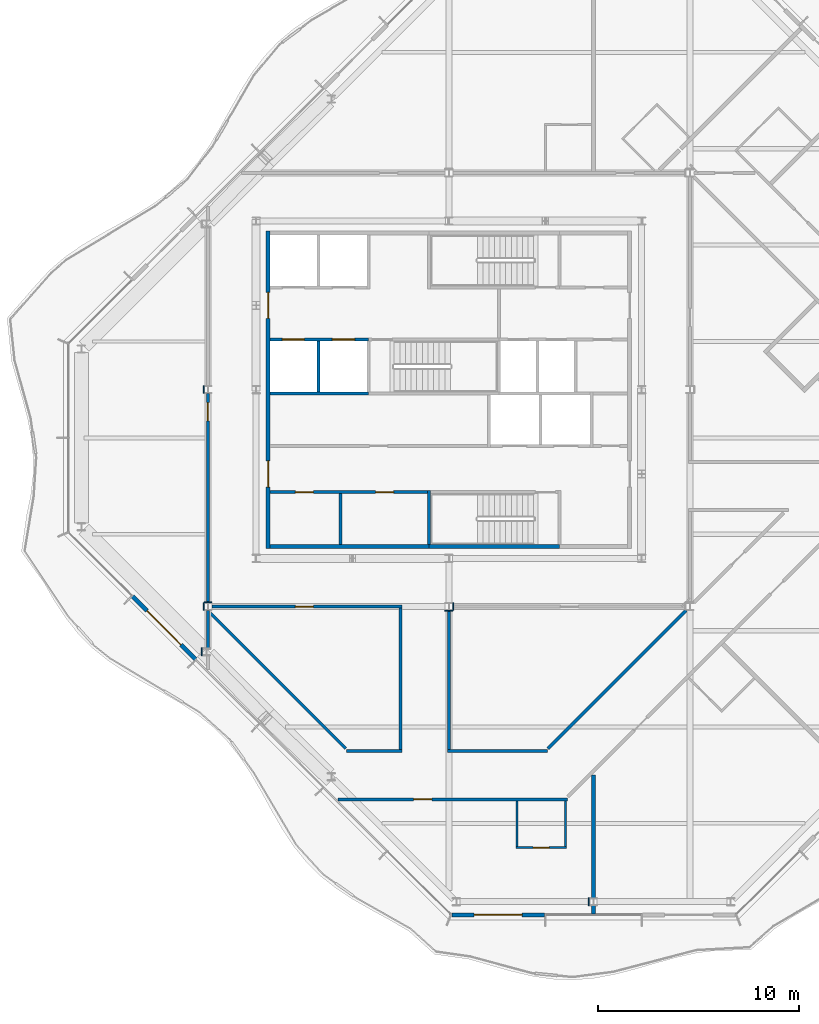
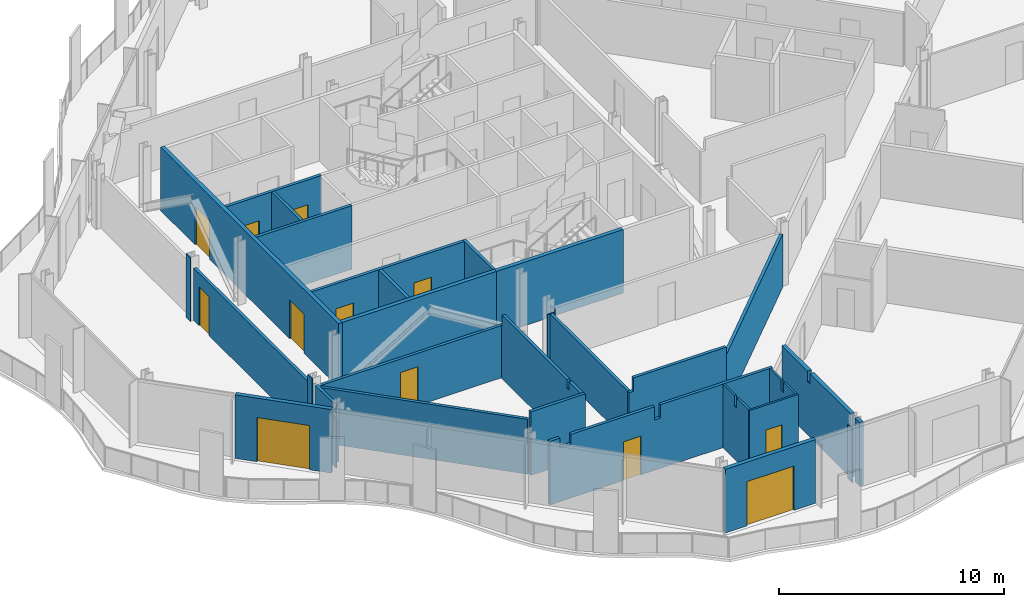
# One storey, part 7 of 16: 33 walls, 12 doors, 12 openings.
"""IFC4 building model written with IfcOpenShell, lengths in metres."""

from ifc_helpers import new_model, si_unit, direction, frame, frame_2d, origin, place, context, subcontext, project, spatial, polyline, rectangle, outline, extrude, material, layer, layer_set, type_object, element, fill, save


model = new_model("IFC4")

# Units and contexts
model_context = context("Model", 3, precision=1e-05, world=origin(), true_north=direction((0.0, 1.0)))
body_context = subcontext(model_context, "Body", "Model", "MODEL_VIEW")
ifc_project = project(units=[si_unit("LENGTHUNIT", "METRE"), si_unit("AREAUNIT", "SQUARE_METRE"), si_unit("VOLUMEUNIT", "CUBIC_METRE"), si_unit("PLANEANGLEUNIT", "RADIAN"), si_unit("MASSUNIT", "GRAM", prefix="KILO")], contexts=[model_context])

# Site, building, storey
site_placement = place(None, origin())
site = spatial("IfcSite", under=ifc_project, at=site_placement, CompositionType="ELEMENT")
building_placement = place(site_placement, origin())
building = spatial("IfcBuilding", under=site, at=building_placement, Name="Cairn Pilgrim Tower", CompositionType="ELEMENT")
storey_placement = place(building_placement, frame((0.0, 0.0, 277.800048828125)))
storey = spatial("IfcBuildingStorey", under=building, at=storey_placement, Name="L71", CompositionType="ELEMENT", Elevation=277.800048828125)

# Wall, opening, door
ifc_material_1 = material(Name="Bronze anodised aluminium insulated sandwich panel with mineral wool fill", Category="aluminium")
ifc_layer_1 = layer(ifc_material_1, 0.199951171875)
ifc_layer_set_1 = layer_set([ifc_layer_1], Name="BRONZE INFILL FRAME WALL 200")
wall_type_1 = type_object("IfcWallType", Name="BRONZE INFILL FRAME WALL 200", PredefinedType="NOTDEFINED", material=ifc_layer_set_1)
wall_1_placement = place(storey_placement, frame((7.343505859375, -23.75, 0.0), z_axis=(0.0, 0.0, 1.0), x_axis=(1.0, 0.0, 0.0)))
wall_1 = element("IfcWall", 1, at=wall_1_placement, inside=storey, type_object=wall_type_1, Name="Bronze infill frame wall IW-S1", PredefinedType="NOTDEFINED", context=body_context, shape_type="SweptSolid", body=[
    extrude(rectangle(XDim=4.62646484375, YDim=0.199951171875, at=frame_2d((2.313232421875, 0.0))), origin(), (0.0, 0.0, 1.0), 3.449951171875),
])
opening_1_placement = place(wall_1_placement, frame((1.1083984375, 0.0, 0.0)))
opening_1 = element("IfcOpeningElement", 2, at=opening_1_placement, cuts=wall_1, Name="Opening 7112B", PredefinedType="OPENING", context=body_context, shape_type="SweptSolid", body=[
    extrude(rectangle(XDim=2.39990234375, YDim=2.39990234375, at=frame_2d((1.199951171875, 1.199951171875))), frame((0.0, 0.10986328125, 0.0), z_axis=(0.0, -1.0, 0.0), x_axis=(1.0, 0.0, 0.0)), (0.0, 0.0, 1.0), 0.219970703125),
])
ifc_material_2 = material(Name="Bronze anodised aluminium frame with tinted low-E glass", Category="aluminium")
door_type_1 = type_object("IfcDoorType", Name="BALCONY SLIDING DOOR 2400x2400", OperationType="DOUBLE_DOOR_SLIDING", PredefinedType="DOOR", material=ifc_material_2)
door_1_placement = place(opening_1_placement, origin())
door_1 = element("IfcDoor", 3, at=door_1_placement, inside=storey, type_object=door_type_1, Name="Balcony sliding door 7112B", OperationType="SINGLE_SWING_LEFT", OverallHeight=2.39990234375, OverallWidth=2.39990234375, PredefinedType="DOOR", context=body_context, shape_type="SweptSolid", body=[
    extrude(rectangle(XDim=2.39990234375, YDim=2.39990234375, at=frame_2d((1.199951171875, 1.199951171875))), frame((0.0, 0.02490234375, 0.0), z_axis=(0.0, -1.0, 0.0), x_axis=(1.0, 0.0, 0.0)), (0.0, 0.0, 1.0), 0.050048828125),
])
fill(opening_1, door_1)

wall_2_placement = place(storey_placement, frame((-8.55322265625, -7.893310546875, 0.0), z_axis=(0.0, 0.0, 1.0), x_axis=(0.707134329907, -0.707079231393, 0.0)))
wall_2 = element("IfcWall", 4, at=wall_2_placement, inside=storey, type_object=wall_type_1, Name="Bronze infill frame wall IW-SW2", PredefinedType="NOTDEFINED", context=body_context, shape_type="SweptSolid", body=[
    extrude(rectangle(XDim=4.430908203125, YDim=0.199951171875, at=frame_2d((2.21533203125, 0.0))), origin(), (0.0, 0.0, 1.0), 3.449951171875),
])
opening_2_placement = place(wall_2_placement, frame((1.015380859375, 0.0, 0.0)))
opening_2 = element("IfcOpeningElement", 5, at=opening_2_placement, cuts=wall_2, Name="Opening 7111B2", PredefinedType="OPENING", context=body_context, shape_type="SweptSolid", body=[
    extrude(rectangle(XDim=2.39990234375, YDim=2.39990234375, at=frame_2d((1.199951171875, 1.199951171875))), frame((0.0, 0.10986328125, 0.0), z_axis=(0.0, -1.0, 0.0), x_axis=(1.0, 0.0, 0.0)), (0.0, 0.0, 1.0), 0.219970703125),
])
door_2_placement = place(opening_2_placement, origin())
door_2 = element("IfcDoor", 6, at=door_2_placement, inside=storey, type_object=door_type_1, Name="Balcony sliding door 7111B2", OperationType="SINGLE_SWING_LEFT", OverallHeight=2.39990234375, OverallWidth=2.39990234375, PredefinedType="DOOR", context=body_context, shape_type="SweptSolid", body=[
    extrude(rectangle(XDim=2.39990234375, YDim=2.39990234375, at=frame_2d((1.199951171875, 1.199951171875))), frame((0.0, 0.02490234375, 0.0), z_axis=(0.0, -1.0, 0.0), x_axis=(1.0, 0.0, 0.0)), (0.0, 0.0, 1.0), 0.050048828125),
])
fill(opening_2, door_2)

# Wall
ifc_material_3 = material(Name="Concrete C32/40", Category="concrete")
ifc_layer_2 = layer(ifc_material_3, 0.199951171875)
ifc_layer_set_2 = layer_set([ifc_layer_2], Name="CORE OUTER WALL 200 EI 120")
wall_type_2 = type_object("IfcWallType", Name="CORE OUTER WALL 200 EI 120", PredefinedType="SOLIDWALL", material=ifc_layer_set_2)
wall_3_placement = place(storey_placement, frame((-1.699951171875, -5.39990234375, 0.0), z_axis=(0.0, 0.0, 1.0), x_axis=(1.0, 0.0, 0.0)))
element("IfcWall", 7, at=wall_3_placement, inside=storey, type_object=wall_type_2, Name="CW:L71:H01-1", PredefinedType="SOLIDWALL", context=body_context, shape_type="SweptSolid", body=[
    extrude(rectangle(XDim=7.89990234375, YDim=0.199951171875, at=frame_2d((3.949951171875, 0.0))), origin(), (0.0, 0.0, 1.0), 3.449951171875),
])

# Wall, openings, doors
wall_4_placement = place(storey_placement, frame((-1.800048828125, -5.5, 0.0), z_axis=(0.0, 0.0, 1.0), x_axis=(0.0, 1.0, 0.0)))
wall_4 = element("IfcWall", 8, at=wall_4_placement, inside=storey, type_object=wall_type_2, Name="CW:L71:V13", PredefinedType="SOLIDWALL", context=body_context, shape_type="SweptSolid", body=[
    extrude(rectangle(XDim=15.800048828125, YDim=0.199951171875, at=frame_2d((7.89990234375, 0.0))), origin(), (0.0, 0.0, 1.0), 3.449951171875),
])
opening_3_placement = place(wall_4_placement, frame((3.050048828125, 0.0, 0.0)))
opening_3 = element("IfcOpeningElement", 9, at=opening_3_placement, cuts=wall_4, Name="Opening CD-W1", PredefinedType="OPENING", context=body_context, shape_type="SweptSolid", body=[
    extrude(rectangle(XDim=1.300048828125, YDim=2.10009765625, at=frame_2d((0.64990234375, 1.050048828125))), frame((0.0, 0.10986328125, 0.0), z_axis=(0.0, -1.0, 0.0), x_axis=(1.0, 0.0, 0.0)), (0.0, 0.0, 1.0), 0.219970703125),
])
opening_4_placement = place(wall_4_placement, frame((11.449951171875, 0.0, 0.0)))
opening_4 = element("IfcOpeningElement", 10, at=opening_4_placement, cuts=wall_4, Name="Opening CD-W2", PredefinedType="OPENING", context=body_context, shape_type="SweptSolid", body=[
    extrude(rectangle(XDim=1.300048828125, YDim=2.10009765625, at=frame_2d((0.64990234375, 1.050048828125))), frame((0.0, 0.10986328125, 0.0), z_axis=(0.0, -1.0, 0.0), x_axis=(1.0, 0.0, 0.0)), (0.0, 0.0, 1.0), 0.219970703125),
])
ifc_material_4 = material(Name="Painted steel", Category="steel")
door_type_2 = type_object("IfcDoorType", Name="CORE LOBBY DOOR 1300x2100", OperationType="DOUBLE_DOOR_SINGLE_SWING", PredefinedType="DOOR", material=ifc_material_4)
door_3_placement = place(opening_3_placement, origin())
door_3 = element("IfcDoor", 11, at=door_3_placement, inside=storey, type_object=door_type_2, Name="CD-W1", OperationType="DOUBLE_DOOR_SINGLE_SWING", OverallHeight=2.10009765625, OverallWidth=1.300048828125, PredefinedType="DOOR", context=body_context, shape_type="SweptSolid", body=[
    extrude(rectangle(XDim=1.300048828125, YDim=2.10009765625, at=frame_2d((0.64990234375, 1.050048828125))), frame((0.0, 0.02490234375, 0.0), z_axis=(0.0, -1.0, 0.0), x_axis=(1.0, 0.0, 0.0)), (0.0, 0.0, 1.0), 0.050048828125),
])
fill(opening_3, door_3)
door_4_placement = place(opening_4_placement, origin())
door_4 = element("IfcDoor", 12, at=door_4_placement, inside=storey, type_object=door_type_2, Name="CD-W2", OperationType="DOUBLE_DOOR_SINGLE_SWING", OverallHeight=2.10009765625, OverallWidth=1.300048828125, PredefinedType="DOOR", context=body_context, shape_type="SweptSolid", body=[
    extrude(rectangle(XDim=1.300048828125, YDim=2.10009765625, at=frame_2d((0.64990234375, 1.050048828125))), frame((0.0, 0.02490234375, 0.0), z_axis=(0.0, -1.0, 0.0), x_axis=(1.0, 0.0, 0.0)), (0.0, 0.0, 1.0), 0.050048828125),
])
fill(opening_4, door_4)

ifc_layer_3 = layer(ifc_material_3, 0.14990234375)
ifc_layer_set_3 = layer_set([ifc_layer_3], Name="CORE PARTITION 150 EI 60")
wall_type_3 = type_object("IfcWallType", Name="CORE PARTITION 150 EI 60", PredefinedType="PARTITIONING", material=ifc_layer_set_3)
wall_5_placement = place(storey_placement, frame((-1.699951171875, -2.699951171875, 0.0), z_axis=(0.0, 0.0, 1.0), x_axis=(1.0, 0.0, 0.0)))
wall_5 = element("IfcWall", 13, at=wall_5_placement, inside=storey, type_object=wall_type_3, Name="CW:L71:H02", PredefinedType="PARTITIONING", context=body_context, shape_type="SweptSolid", body=[
    extrude(rectangle(XDim=7.824951171875, YDim=0.14990234375, at=frame_2d((3.91259765625, 0.0))), origin(), (0.0, 0.0, 1.0), 3.449951171875),
])
opening_5_placement = place(wall_5_placement, frame((1.25, 0.0, 0.0)))
opening_5 = element("IfcOpeningElement", 14, at=opening_5_placement, cuts=wall_5, Name="Opening RD-R1W1", PredefinedType="OPENING", context=body_context, shape_type="SweptSolid", body=[
    extrude(rectangle(XDim=0.89990234375, YDim=2.10009765625, at=frame_2d((0.449951171875, 1.050048828125))), frame((0.0, 0.0849609375, 0.0), z_axis=(0.0, -1.0, 0.0), x_axis=(1.0, 0.0, 0.0)), (0.0, 0.0, 1.0), 0.169921875),
])
opening_6_placement = place(wall_5_placement, frame((5.25, 0.0, 0.0)))
opening_6 = element("IfcOpeningElement", 15, at=opening_6_placement, cuts=wall_5, Name="Opening RD-R1W2", PredefinedType="OPENING", context=body_context, shape_type="SweptSolid", body=[
    extrude(rectangle(XDim=0.89990234375, YDim=2.10009765625, at=frame_2d((0.449951171875, 1.050048828125))), frame((0.0, 0.0849609375, 0.0), z_axis=(0.0, -1.0, 0.0), x_axis=(1.0, 0.0, 0.0)), (0.0, 0.0, 1.0), 0.169921875),
])
door_type_3 = type_object("IfcDoorType", Name="SERVICE ROOM DOOR 900x2100", OperationType="SINGLE_SWING_LEFT", PredefinedType="DOOR", material=ifc_material_4)
door_5_placement = place(opening_5_placement, origin())
door_5 = element("IfcDoor", 16, at=door_5_placement, inside=storey, type_object=door_type_3, Name="RD-R1W1", OperationType="SINGLE_SWING_RIGHT", OverallHeight=2.10009765625, OverallWidth=0.89990234375, PredefinedType="DOOR", context=body_context, shape_type="SweptSolid", body=[
    extrude(rectangle(XDim=0.89990234375, YDim=2.10009765625, at=frame_2d((0.449951171875, 1.050048828125))), frame((0.0, 0.02490234375, 0.0), z_axis=(0.0, -1.0, 0.0), x_axis=(1.0, 0.0, 0.0)), (0.0, 0.0, 1.0), 0.050048828125),
])
fill(opening_5, door_5)
door_6_placement = place(opening_6_placement, origin())
door_6 = element("IfcDoor", 17, at=door_6_placement, inside=storey, type_object=door_type_3, Name="RD-R1W2", OperationType="SINGLE_SWING_LEFT", OverallHeight=2.10009765625, OverallWidth=0.89990234375, PredefinedType="DOOR", context=body_context, shape_type="SweptSolid", body=[
    extrude(rectangle(XDim=0.89990234375, YDim=2.10009765625, at=frame_2d((0.449951171875, 1.050048828125))), frame((0.0, 0.02490234375, 0.0), z_axis=(0.0, -1.0, 0.0), x_axis=(1.0, 0.0, 0.0)), (0.0, 0.0, 1.0), 0.050048828125),
])
fill(opening_6, door_6)

# Walls
wall_6_placement = place(storey_placement, frame((1.800048828125, -5.300048828125, 0.0), z_axis=(0.0, 0.0, 1.0), x_axis=(0.0, 1.0, 0.0)))
element("IfcWall", 18, at=wall_6_placement, inside=storey, type_object=wall_type_3, Name="CW:L71:V16", PredefinedType="PARTITIONING", context=body_context, shape_type="SweptSolid", body=[
    extrude(rectangle(XDim=2.525146484375, YDim=0.14990234375, at=frame_2d((1.2626953125, 0.0))), origin(), (0.0, 0.0, 1.0), 3.449951171875),
])
ifc_layer_4 = layer(ifc_material_3, 0.14990234375)
ifc_layer_set_4 = layer_set([ifc_layer_4], Name="CORE SHAFT WALL 150 EI 120")
wall_type_4 = type_object("IfcWallType", Name="CORE SHAFT WALL 150 EI 120", PredefinedType="SOLIDWALL", material=ifc_layer_set_4)
wall_7_placement = place(storey_placement, frame((-1.699951171875, 2.199951171875, 0.0), z_axis=(0.0, 0.0, 1.0), x_axis=(1.0, 0.0, 0.0)))
element("IfcWall", 19, at=wall_7_placement, inside=storey, type_object=wall_type_4, Name="CW:L71:H07-1", PredefinedType="SOLIDWALL", context=body_context, shape_type="SweptSolid", body=[
    extrude(rectangle(XDim=4.89990234375, YDim=0.14990234375, at=frame_2d((2.449951171875, 0.0))), origin(), (0.0, 0.0, 1.0), 3.449951171875),
])

# Wall, openings, doors
wall_8_placement = place(storey_placement, frame((-1.699951171875, 4.89990234375, 0.0), z_axis=(0.0, 0.0, 1.0), x_axis=(1.0, 0.0, 0.0)))
wall_8 = element("IfcWall", 20, at=wall_8_placement, inside=storey, type_object=wall_type_4, Name="CW:L71:H09-1", PredefinedType="SOLIDWALL", context=body_context, shape_type="SweptSolid", body=[
    extrude(rectangle(XDim=4.89990234375, YDim=0.14990234375, at=frame_2d((2.449951171875, 0.0))), origin(), (0.0, 0.0, 1.0), 3.449951171875),
])
opening_7_placement = place(wall_8_placement, frame((0.60009765625, 0.0, 0.0)))
opening_7 = element("IfcOpeningElement", 21, at=opening_7_placement, cuts=wall_8, Name="Opening LD-HR1", PredefinedType="OPENING", context=body_context, shape_type="SweptSolid", body=[
    extrude(rectangle(XDim=1.10009765625, YDim=2.10009765625, at=frame_2d((0.550048828125, 1.050048828125))), frame((0.0, 0.0849609375, 0.0), z_axis=(0.0, -1.0, 0.0), x_axis=(1.0, 0.0, 0.0)), (0.0, 0.0, 1.0), 0.169921875),
])
opening_8_placement = place(wall_8_placement, frame((3.10009765625, 0.0, 0.0)))
opening_8 = element("IfcOpeningElement", 22, at=opening_8_placement, cuts=wall_8, Name="Opening LD-HR2", PredefinedType="OPENING", context=body_context, shape_type="SweptSolid", body=[
    extrude(rectangle(XDim=1.10009765625, YDim=2.10009765625, at=frame_2d((0.550048828125, 1.050048828125))), frame((0.0, 0.0849609375, 0.0), z_axis=(0.0, -1.0, 0.0), x_axis=(1.0, 0.0, 0.0)), (0.0, 0.0, 1.0), 0.169921875),
])
ifc_material_5 = material(Name="Stainless steel", Category="steel")
door_type_4 = type_object("IfcDoorType", Name="LIFT LANDING DOOR 1100x2100", OperationType="DOUBLE_DOOR_SLIDING", PredefinedType="DOOR", material=ifc_material_5)
door_7_placement = place(opening_7_placement, origin())
door_7 = element("IfcDoor", 23, at=door_7_placement, inside=storey, type_object=door_type_4, Name="LANDING DOOR HR1", OperationType="DOUBLE_DOOR_SLIDING", OverallHeight=2.10009765625, OverallWidth=1.10009765625, PredefinedType="DOOR", context=body_context, shape_type="SweptSolid", body=[
    extrude(rectangle(XDim=1.10009765625, YDim=2.10009765625, at=frame_2d((0.550048828125, 1.050048828125))), frame((0.0, 0.02490234375, 0.0), z_axis=(0.0, -1.0, 0.0), x_axis=(1.0, 0.0, 0.0)), (0.0, 0.0, 1.0), 0.050048828125),
])
fill(opening_7, door_7)
door_8_placement = place(opening_8_placement, origin())
door_8 = element("IfcDoor", 24, at=door_8_placement, inside=storey, type_object=door_type_4, Name="LANDING DOOR HR2", OperationType="DOUBLE_DOOR_SLIDING", OverallHeight=2.10009765625, OverallWidth=1.10009765625, PredefinedType="DOOR", context=body_context, shape_type="SweptSolid", body=[
    extrude(rectangle(XDim=1.10009765625, YDim=2.10009765625, at=frame_2d((0.550048828125, 1.050048828125))), frame((0.0, 0.02490234375, 0.0), z_axis=(0.0, -1.0, 0.0), x_axis=(1.0, 0.0, 0.0)), (0.0, 0.0, 1.0), 0.050048828125),
])
fill(opening_8, door_8)

# Wall
wall_9_placement = place(storey_placement, frame((0.699951171875, 2.27490234375, 0.0), z_axis=(0.0, 0.0, 1.0), x_axis=(0.0, 1.0, 0.0)))
element("IfcWall", 25, at=wall_9_placement, inside=storey, type_object=wall_type_4, Name="CW:L71:V14", PredefinedType="SOLIDWALL", context=body_context, shape_type="SweptSolid", body=[
    extrude(rectangle(XDim=2.550048828125, YDim=0.14990234375, at=frame_2d((1.27490234375, 0.0))), origin(), (0.0, 0.0, 1.0), 3.449951171875),
])

# Wall, opening, door
ifc_material_6 = material(Name="Gypsum partition")
ifc_layer_5 = layer(ifc_material_6, 0.10009765625)
ifc_layer_set_5 = layer_set([ifc_layer_5], Name="PARTITION 100 DRYWALL")
wall_type_5 = type_object("IfcWallType", Name="PARTITION 100 DRYWALL", PredefinedType="PARTITIONING", material=ifc_layer_set_5)
wall_10_placement = place(storey_placement, frame((10.5439453125, -20.39990234375, 0.0), z_axis=(0.0, 0.0, 1.0), x_axis=(1.0, 0.0, 0.0)))
wall_10 = element("IfcWall", 26, at=wall_10_placement, inside=storey, type_object=wall_type_5, Name="PARTITION W003", PredefinedType="PARTITIONING", context=body_context, shape_type="SweptSolid", body=[
    extrude(rectangle(XDim=2.5, YDim=0.10009765625, at=frame_2d((1.25, 0.0))), origin(), (0.0, 0.0, 1.0), 3.449951171875),
])
opening_9_placement = place(wall_10_placement, frame((0.85009765625, 0.0, 0.0)))
opening_9 = element("IfcOpeningElement", 27, at=opening_9_placement, cuts=wall_10, Name="Opening 7112A", PredefinedType="OPENING", context=body_context, shape_type="SweptSolid", body=[
    extrude(rectangle(XDim=0.800048828125, YDim=2.10009765625, at=frame_2d((0.39990234375, 1.050048828125))), frame((0.0, 0.06005859375, 0.0), z_axis=(0.0, -1.0, 0.0), x_axis=(1.0, 0.0, 0.0)), (0.0, 0.0, 1.0), 0.1201171875),
])
ifc_material_7 = material(Name="Timber door leaf", Category="wood")
door_type_5 = type_object("IfcDoorType", Name="WC DOOR 800x2100", OperationType="NOTDEFINED", PredefinedType="DOOR", material=ifc_material_7)
door_9_placement = place(opening_9_placement, frame((0.800048828125, 0.0, 0.0), z_axis=(0.0, 0.0, 1.0), x_axis=(-1.0, 0.0, 0.0)))
door_9 = element("IfcDoor", 28, at=door_9_placement, inside=storey, type_object=door_type_5, Name="DOOR 7112A", OperationType="SINGLE_SWING_RIGHT", OverallHeight=2.10009765625, OverallWidth=0.800048828125, PredefinedType="DOOR", context=body_context, shape_type="SweptSolid", body=[
    extrude(rectangle(XDim=0.800048828125, YDim=2.10009765625, at=frame_2d((0.39990234375, 1.050048828125))), frame((0.0, 0.02490234375, 0.0), z_axis=(0.0, -1.0, 0.0), x_axis=(1.0, 0.0, 0.0)), (0.0, 0.0, 1.0), 0.050048828125),
])
fill(opening_9, door_9)

# Walls
for number, where, z_axis, x_axis, name in (
    (29, (10.593994140625, -20.35009765625, 0.0), (0.0, 0.0, 1.0), (0.0, 1.0, 0.0), "PARTITION W004"),
    (30, (12.993896484375, -20.35009765625, 0.0), (0.0, 0.0, 1.0), (0.0, 1.0, 0.0), "PARTITION W005"),
):
    element("IfcWall", number, at=place(storey_placement, frame(where, z_axis=z_axis, x_axis=x_axis)), inside=storey, type_object=wall_type_5, Name=name, PredefinedType="PARTITIONING", context=body_context, shape_type="SweptSolid", body=[
        extrude(outline(polyline([(0.0, 0.0), (2.275146484375, 0.0), (2.27490234375, 3.449951171875), (1.2548828125, 3.449951171875), (1.2529296875, 2.8798828125), (1.044921875, 2.8798828125), (1.04296875, 3.449951171875), (0.0, 3.449951171875), (0.0, 0.0)])), frame((0.0, 0.050048828125, 0.0), z_axis=(0.0, -1.0, 0.0), x_axis=(1.0, 0.0, 0.0)), (0.0, 0.0, 1.0), 0.10009765625),
    ])

# Wall, opening, door
ifc_layer_6 = layer(ifc_material_6, 0.14990234375)
ifc_layer_set_6 = layer_set([ifc_layer_6], Name="PARTITION 150 DRYWALL EI 60")
wall_type_6 = type_object("IfcWallType", Name="PARTITION 150 DRYWALL EI 60", PredefinedType="PARTITIONING", material=ifc_layer_set_6)
wall_11_placement = place(storey_placement, frame((1.673828125, -18.0, 0.0), z_axis=(0.0, 0.0, 1.0), x_axis=(1.0, 0.0, 0.0)))
wall_11 = element("IfcWall", 31, at=wall_11_placement, inside=storey, type_object=wall_type_6, Name="PARTITION W006", PredefinedType="PARTITIONING", context=body_context, shape_type="SweptSolid", body=[
    extrude(outline(polyline([(0.0, 0.0), (11.42626953125, 0.0), (11.42626953125, 3.449951171875), (5.676025390625, 3.449951171875), (5.674072265625, 2.72998046875), (5.376220703125, 2.72998046875), (5.3740234375, 3.449951171875), (1.0859375, 3.449951171875), (1.083984375, 2.929931640625), (0.51171875, 2.929931640625), (0.509765625, 3.449951171875), (0.0, 3.449951171875), (0.0, 0.0)])), frame((0.0, 0.074951171875, 0.0), z_axis=(0.0, -1.0, 0.0), x_axis=(1.0, 0.0, 0.0)), (0.0, 0.0, 1.0), 0.14990234375),
])
opening_10_placement = place(wall_11_placement, frame((3.773193359375, 0.0, 0.0)))
opening_10 = element("IfcOpeningElement", 32, at=opening_10_placement, cuts=wall_11, Name="Opening 7112", PredefinedType="OPENING", context=body_context, shape_type="SweptSolid", body=[
    extrude(rectangle(XDim=0.89990234375, YDim=2.10009765625, at=frame_2d((0.449951171875, 1.050048828125))), frame((0.0, 0.0849609375, 0.0), z_axis=(0.0, -1.0, 0.0), x_axis=(1.0, 0.0, 0.0)), (0.0, 0.0, 1.0), 0.169921875),
])
door_type_6 = type_object("IfcDoorType", Name="ROOM DOOR 900x2100 FD30S", OperationType="NOTDEFINED", PredefinedType="DOOR", material=ifc_material_7)
door_10_placement = place(opening_10_placement, frame((0.89990234375, 0.0, 0.0), z_axis=(0.0, 0.0, 1.0), x_axis=(-1.0, 0.0, 0.0)))
door_10 = element("IfcDoor", 33, at=door_10_placement, inside=storey, type_object=door_type_6, Name="DOOR 7112", OperationType="SINGLE_SWING_RIGHT", OverallHeight=2.10009765625, OverallWidth=0.89990234375, PredefinedType="DOOR", context=body_context, shape_type="SweptSolid", body=[
    extrude(rectangle(XDim=0.89990234375, YDim=2.10009765625, at=frame_2d((0.449951171875, 1.050048828125))), frame((0.0, 0.02490234375, 0.0), z_axis=(0.0, -1.0, 0.0), x_axis=(1.0, 0.0, 0.0)), (0.0, 0.0, 1.0), 0.050048828125),
])
fill(opening_10, door_10)

# Walls
wall_12_placement = place(storey_placement, frame((2.087890625, -15.60009765625, 0.0), z_axis=(0.0, 0.0, 1.0), x_axis=(1.0, 0.0, 0.0)))
element("IfcWall", 34, at=wall_12_placement, inside=storey, type_object=wall_type_6, Name="PARTITION W010", PredefinedType="PARTITIONING", context=body_context, shape_type="SweptSolid", body=[
    extrude(rectangle(XDim=2.787109375, YDim=0.14990234375, at=frame_2d((1.3935546875, 0.0))), origin(), (0.0, 0.0, 1.0), 3.449951171875),
])
wall_13_placement = place(storey_placement, frame((7.125, -15.60009765625, 0.0), z_axis=(0.0, 0.0, 1.0), x_axis=(1.0, 0.0, 0.0)))
element("IfcWall", 35, at=wall_13_placement, inside=storey, type_object=wall_type_6, Name="PARTITION W011", PredefinedType="PARTITIONING", context=body_context, shape_type="SweptSolid", body=[
    extrude(outline(polyline([(0.0, 0.0), (4.981201171875, 0.0), (4.981201171875, 3.449951171875), (0.22509765625, 3.449951171875), (0.222900390625, 2.72998046875), (0.0, 2.72998046875), (0.0, 0.0)])), frame((0.0, 0.074951171875, 0.0), z_axis=(0.0, -1.0, 0.0), x_axis=(1.0, 0.0, 0.0)), (0.0, 0.0, 1.0), 0.14990234375),
])
wall_14_placement = place(storey_placement, frame((2.06591796875, -15.471923828125, 0.0), z_axis=(0.0, 0.0, 1.0), x_axis=(-0.707106781187, 0.707106781187, 0.0)))
element("IfcWall", 36, at=wall_14_placement, inside=storey, type_object=wall_type_6, Name="PARTITION W012", PredefinedType="PARTITIONING", context=body_context, shape_type="SweptSolid", body=[
    extrude(rectangle(XDim=9.529052734375, YDim=0.14990234375, at=frame_2d((4.7646484375, 0.0))), origin(), (0.0, 0.0, 1.0), 2.97998046875),
])
wall_15_placement = place(storey_placement, frame((4.800048828125, -15.52490234375, 0.0), z_axis=(0.0, 0.0, 1.0), x_axis=(0.0, 1.0, 0.0)))
element("IfcWall", 37, at=wall_15_placement, inside=storey, type_object=wall_type_6, Name="PARTITION W013", PredefinedType="PARTITIONING", context=body_context, shape_type="SweptSolid", body=[
    extrude(outline(polyline([(0.0, 0.0), (7.0498046875, 0.0), (7.050048828125, 2.829833984375), (6.97509765625, 2.829833984375), (6.972900390625, 3.449951171875), (1.219970703125, 3.449951171875), (1.218017578125, 2.97998046875), (1.030029296875, 2.97998046875), (1.028076171875, 3.449951171875), (0.0, 3.449951171875), (0.0, 0.0)])), frame((0.0, 0.074951171875, 0.0), z_axis=(0.0, -1.0, 0.0), x_axis=(1.0, 0.0, 0.0)), (0.0, 0.0, 1.0), 0.14990234375),
])
wall_16_placement = place(storey_placement, frame((7.199951171875, -15.52490234375, 0.0), z_axis=(0.0, 0.0, 1.0), x_axis=(0.0, 1.0, 0.0)))
element("IfcWall", 38, at=wall_16_placement, inside=storey, type_object=wall_type_6, Name="PARTITION W014", PredefinedType="PARTITIONING", context=body_context, shape_type="SweptSolid", body=[
    extrude(rectangle(XDim=6.9375, YDim=0.14990234375, at=frame_2d((3.46875, 0.0))), origin(), (0.0, 0.0, 1.0), 2.72998046875),
])
wall_17_placement = place(storey_placement, frame((12.1279296875, -15.471923828125, 0.0), z_axis=(0.0, 0.0, 1.0), x_axis=(0.70711932755, 0.7070942346, 0.0)))
element("IfcWall", 39, at=wall_17_placement, inside=storey, type_object=wall_type_6, Name="PARTITION W015", PredefinedType="PARTITIONING", context=body_context, shape_type="SweptSolid", body=[
    extrude(rectangle(XDim=9.7294921875, YDim=0.14990234375, at=frame_2d((4.86474609375, 0.0))), origin(), (0.0, 0.0, 1.0), 2.8798828125),
])
wall_18_placement = place(storey_placement, frame((-4.800048828125, -10.455078125, 0.0), z_axis=(0.0, 0.0, 1.0), x_axis=(0.0, 1.0, 0.0)))
element("IfcWall", 40, at=wall_18_placement, inside=storey, type_object=wall_type_6, Name="PARTITION W020", PredefinedType="PARTITIONING", context=body_context, shape_type="SweptSolid", body=[
    extrude(outline(polyline([(0.0, 0.0), (1.84912109375, 0.0), (1.84912109375, 3.030029296875), (0.297607421875, 3.030029296875), (0.295654296875, 2.6298828125), (0.052978515625, 2.6298828125), (0.051025390625, 3.030029296875), (0.0, 3.030029296875), (0.0, 0.0)])), frame((0.0, 0.074951171875, 0.0), z_axis=(0.0, -1.0, 0.0), x_axis=(1.0, 0.0, 0.0)), (0.0, 0.0, 1.0), 0.14990234375),
])

# Wall, opening, door
wall_19_placement = place(storey_placement, frame((-4.60302734375, -8.39990234375, 0.0), z_axis=(0.0, 0.0, 1.0), x_axis=(1.0, 0.0, 0.0)))
wall_19 = element("IfcWall", 41, at=wall_19_placement, inside=storey, type_object=wall_type_6, Name="PARTITION W022", PredefinedType="PARTITIONING", context=body_context, shape_type="SweptSolid", body=[
    extrude(rectangle(XDim=9.47802734375, YDim=0.14990234375, at=frame_2d((4.739013671875, 0.0))), origin(), (0.0, 0.0, 1.0), 2.829833984375),
])
opening_11_placement = place(wall_19_placement, frame((4.153076171875, 0.0, 0.0)))
opening_11 = element("IfcOpeningElement", 42, at=opening_11_placement, cuts=wall_19, Name="Opening 7117", PredefinedType="OPENING", context=body_context, shape_type="SweptSolid", body=[
    extrude(rectangle(XDim=0.89990234375, YDim=2.10009765625, at=frame_2d((0.449951171875, 1.050048828125))), frame((0.0, 0.0849609375, 0.0), z_axis=(0.0, -1.0, 0.0), x_axis=(1.0, 0.0, 0.0)), (0.0, 0.0, 1.0), 0.169921875),
])
door_type_7 = type_object("IfcDoorType", Name="SERVICE DOOR 900x2100 FD30S", OperationType="NOTDEFINED", PredefinedType="DOOR", material=ifc_material_7)
door_11_placement = place(opening_11_placement, frame((0.89990234375, 0.0, 0.0), z_axis=(0.0, 0.0, 1.0), x_axis=(-1.0, 0.0, 0.0)))
door_11 = element("IfcDoor", 43, at=door_11_placement, inside=storey, type_object=door_type_7, Name="DOOR 7117", OperationType="SINGLE_SWING_RIGHT", OverallHeight=2.10009765625, OverallWidth=0.89990234375, PredefinedType="DOOR", context=body_context, shape_type="SweptSolid", body=[
    extrude(rectangle(XDim=0.89990234375, YDim=2.10009765625, at=frame_2d((0.449951171875, 1.050048828125))), frame((0.0, 0.02490234375, 0.0), z_axis=(0.0, -1.0, 0.0), x_axis=(1.0, 0.0, 0.0)), (0.0, 0.0, 1.0), 0.050048828125),
])
fill(opening_11, door_11)

wall_20_placement = place(storey_placement, frame((-4.800048828125, -8.21240234375, 0.0), z_axis=(0.0, 0.0, 1.0), x_axis=(0.0, 1.0, 0.0)))
wall_20 = element("IfcWall", 44, at=wall_20_placement, inside=storey, type_object=wall_type_6, Name="PARTITION W024", PredefinedType="PARTITIONING", context=body_context, shape_type="SweptSolid", body=[
    extrude(rectangle(XDim=10.4248046875, YDim=0.14990234375, at=frame_2d((5.21240234375, 0.0))), origin(), (0.0, 0.0, 1.0), 2.829833984375),
])
opening_12_placement = place(wall_20_placement, frame((9.0625, 0.0, 0.0)))
opening_12 = element("IfcOpeningElement", 45, at=opening_12_placement, cuts=wall_20, Name="Opening 7111", PredefinedType="OPENING", context=body_context, shape_type="SweptSolid", body=[
    extrude(rectangle(XDim=0.89990234375, YDim=2.10009765625, at=frame_2d((0.449951171875, 1.050048828125))), frame((0.0, 0.0849609375, 0.0), z_axis=(0.0, -1.0, 0.0), x_axis=(1.0, 0.0, 0.0)), (0.0, 0.0, 1.0), 0.169921875),
])
door_12_placement = place(opening_12_placement, origin())
door_12 = element("IfcDoor", 46, at=door_12_placement, inside=storey, type_object=door_type_6, Name="DOOR 7111", OperationType="SINGLE_SWING_RIGHT", OverallHeight=2.10009765625, OverallWidth=0.89990234375, PredefinedType="DOOR", context=body_context, shape_type="SweptSolid", body=[
    extrude(rectangle(XDim=0.89990234375, YDim=2.10009765625, at=frame_2d((0.449951171875, 1.050048828125))), frame((0.0, 0.02490234375, 0.0), z_axis=(0.0, -1.0, 0.0), x_axis=(1.0, 0.0, 0.0)), (0.0, 0.0, 1.0), 0.050048828125),
])
fill(opening_12, door_12)

# Walls
ifc_layer_7 = layer(ifc_material_6, 0.050048828125)
ifc_layer_set_7 = layer_set([ifc_layer_7], Name="PARTITION 50 DRYWALL EI 60")
wall_type_7 = type_object("IfcWallType", Name="PARTITION 50 DRYWALL EI 60", PredefinedType="PARTITIONING", material=ifc_layer_set_7)
wall_21_placement = place(storey_placement, frame((14.175537109375, -23.29638671875, 0.0), z_axis=(0.0, 0.0, 1.0), x_axis=(0.0, 1.0, 0.0)))
element("IfcWall", 47, at=wall_21_placement, inside=storey, type_object=wall_type_7, Name="COLUMN CASING WC01", PredefinedType="PARTITIONING", context=body_context, shape_type="SweptSolid", body=[
    extrude(rectangle(XDim=0.392822265625, YDim=0.050048828125, at=frame_2d((0.1962890625, 0.0))), origin(), (0.0, 0.0, 1.0), 2.929931640625),
])
wall_22_placement = place(storey_placement, frame((7.422119140625, -8.58740234375, 0.0), z_axis=(0.0, 0.0, 1.0), x_axis=(0.0, 1.0, 0.0)))
element("IfcWall", 48, at=wall_22_placement, inside=storey, type_object=wall_type_7, Name="COLUMN CASING WC04", PredefinedType="PARTITIONING", context=body_context, shape_type="SweptSolid", body=[
    extrude(rectangle(XDim=0.375, YDim=0.050048828125, at=frame_2d((0.1875, 0.0))), origin(), (0.0, 0.0, 1.0), 2.829833984375),
])
wall_23_placement = place(storey_placement, frame((-5.10009765625, -10.847900390625, 0.0), z_axis=(0.0, 0.0, 1.0), x_axis=(0.0, 1.0, 0.0)))
element("IfcWall", 49, at=wall_23_placement, inside=storey, type_object=wall_type_7, Name="COLUMN CASING WC07", PredefinedType="PARTITIONING", context=body_context, shape_type="SweptSolid", body=[
    extrude(rectangle(XDim=0.392822265625, YDim=0.050048828125, at=frame_2d((0.1962890625, 0.0))), origin(), (0.0, 0.0, 1.0), 2.6298828125),
])
for number, where, z_axis, x_axis, name in (
    (50, (-5.02197265625, -8.58740234375, 0.0), (0.0, 0.0, 1.0), (0.0, 1.0, 0.0), "COLUMN CASING WC08"),
    (51, (-5.02197265625, 2.21240234375, 0.0), (0.0, 0.0, 1.0), (0.0, 1.0, 0.0), "COLUMN CASING WC09"),
):
    element("IfcWall", number, at=place(storey_placement, frame(where, z_axis=z_axis, x_axis=x_axis)), inside=storey, type_object=wall_type_7, Name=name, PredefinedType="PARTITIONING", context=body_context, shape_type="SweptSolid", body=[
        extrude(rectangle(XDim=0.375, YDim=0.050048828125, at=frame_2d((0.1875, 0.0))), origin(), (0.0, 0.0, 1.0), 3.449951171875),
    ])
wall_24_placement = place(storey_placement, frame((-4.9970703125, -8.1875, 0.0), z_axis=(0.0, 0.0, 1.0), x_axis=(1.0, 0.0, 0.0)))
element("IfcWall", 52, at=wall_24_placement, inside=storey, type_object=wall_type_7, Name="COLUMN CASING WC11", PredefinedType="PARTITIONING", context=body_context, shape_type="SweptSolid", body=[
    extrude(rectangle(XDim=0.39404296875, YDim=0.050048828125, at=frame_2d((0.197021484375, 0.0))), origin(), (0.0, 0.0, 1.0), 2.829833984375),
])
wall_25_placement = place(storey_placement, frame((7.0029296875, -8.612548828125, 0.0), z_axis=(0.0, 0.0, 1.0), x_axis=(1.0, 0.0, 0.0)))
element("IfcWall", 53, at=wall_25_placement, inside=storey, type_object=wall_type_7, Name="COLUMN CASING WC12", PredefinedType="PARTITIONING", context=body_context, shape_type="SweptSolid", body=[
    extrude(rectangle(XDim=0.39404296875, YDim=0.050048828125, at=frame_2d((0.197021484375, 0.0))), origin(), (0.0, 0.0, 1.0), 2.72998046875),
])
ifc_layer_8 = layer(ifc_material_6, 0.199951171875)
ifc_layer_set_8 = layer_set([ifc_layer_8], Name="SHAFT WALL 200 GYPSUM EI 60")
wall_type_8 = type_object("IfcWallType", Name="SHAFT WALL 200 GYPSUM EI 60", PredefinedType="PARTITIONING", material=ifc_layer_set_8)
wall_26_placement = place(storey_placement, frame((14.39990234375, -23.702880859375, 0.0), z_axis=(0.0, 0.0, 1.0), x_axis=(0.0, 1.0, 0.0)))
element("IfcWall", 54, at=wall_26_placement, inside=storey, type_object=wall_type_8, Name="PARTITION W001", PredefinedType="PARTITIONING", context=body_context, shape_type="SweptSolid", body=[
    extrude(rectangle(XDim=0.406494140625, YDim=0.199951171875, at=frame_2d((0.203125, 0.0))), origin(), (0.0, 0.0, 1.0), 3.449951171875),
])
wall_27_placement = place(storey_placement, frame((14.39990234375, -22.903564453125, 0.0), z_axis=(0.0, 0.0, 1.0), x_axis=(0.0, 1.0, 0.0)))
element("IfcWall", 55, at=wall_27_placement, inside=storey, type_object=wall_type_8, Name="PARTITION W002", PredefinedType="PARTITIONING", context=body_context, shape_type="SweptSolid", body=[
    extrude(outline(polyline([(0.0, 0.0), (6.103515625, 0.0), (6.103515625, 3.449951171875), (3.80859375, 3.449951171875), (3.806396484375, 2.8798828125), (3.598388671875, 2.8798828125), (3.596435546875, 3.449951171875), (0.0, 3.449951171875), (0.0, 0.0)])), frame((0.0, 0.10009765625, 0.0), z_axis=(0.0, -1.0, 0.0), x_axis=(1.0, 0.0, 0.0)), (0.0, 0.0, 1.0), 0.199951171875),
])
ifc_material_8 = material(Name="Concrete C35/45", Category="concrete")
ifc_layer_9 = layer(ifc_material_8, 0.14990234375)
ifc_layer_set_9 = layer_set([ifc_layer_9], Name="STAIR SHAFT WALL 150 EI 120")
wall_type_9 = type_object("IfcWallType", Name="STAIR SHAFT WALL 150 EI 120", PredefinedType="SOLIDWALL", material=ifc_layer_set_9)
wall_28_placement = place(storey_placement, frame((6.199951171875, -5.300048828125, 0.0), z_axis=(0.0, 0.0, 1.0), x_axis=(0.0, 1.0, 0.0)))
element("IfcWall", 56, at=wall_28_placement, inside=storey, type_object=wall_type_9, Name="CW:L71:V19", PredefinedType="SOLIDWALL", context=body_context, shape_type="SweptSolid", body=[
    extrude(rectangle(XDim=2.675048828125, YDim=0.14990234375, at=frame_2d((1.33740234375, 0.0))), origin(), (0.0, 0.0, 1.0), 3.449951171875),
])
ifc_layer_10 = layer(ifc_material_8, 0.199951171875)
ifc_layer_set_10 = layer_set([ifc_layer_10], Name="STAIR SHAFT WALL 200 EI 120")
wall_type_10 = type_object("IfcWallType", Name="STAIR SHAFT WALL 200 EI 120", PredefinedType="SOLIDWALL", material=ifc_layer_set_10)
wall_29_placement = place(storey_placement, frame((6.199951171875, -5.39990234375, 0.0), z_axis=(0.0, 0.0, 1.0), x_axis=(1.0, 0.0, 0.0)))
element("IfcWall", 57, at=wall_29_placement, inside=storey, type_object=wall_type_10, Name="CW:L71:H01-2", PredefinedType="SOLIDWALL", context=body_context, shape_type="SweptSolid", body=[
    extrude(rectangle(XDim=6.5, YDim=0.199951171875, at=frame_2d((3.25, 0.0))), origin(), (0.0, 0.0, 1.0), 3.449951171875),
])

save(model, "model.ifc")
